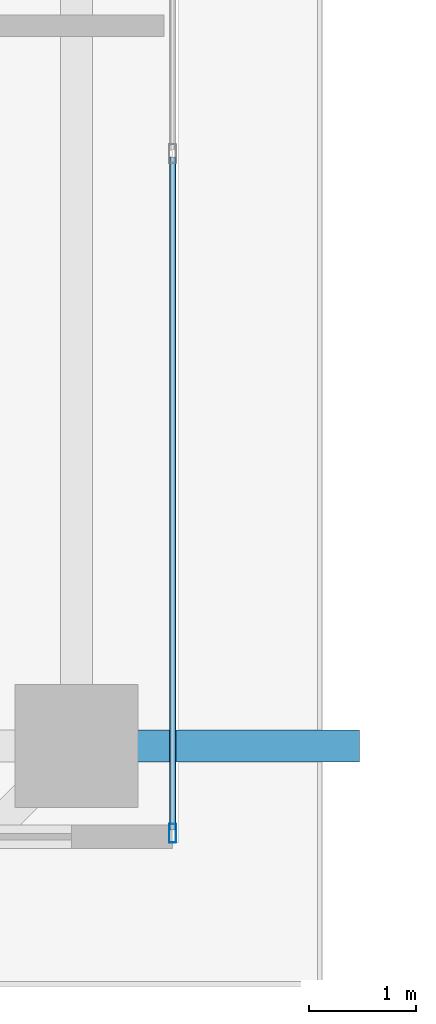
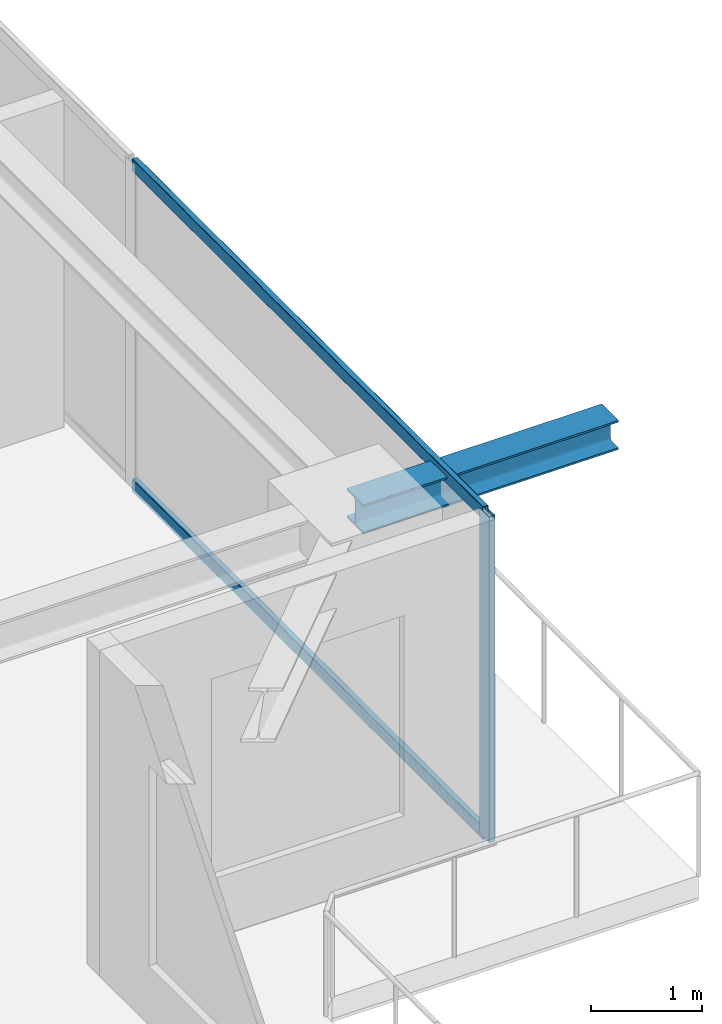
# One storey, part 14 of 36: 3 members, 1 beam, 1 element without a shape of its own.
"""IFC4 building model written with IfcOpenShell, lengths in metres."""

from ifc_helpers import new_model, si_unit, direction, frame, origin, origin_2d, place, context, subcontext, project, spatial, hollow_rectangle, i_section, extrude, source, transform, mapped, material, layer, layer_set, material_profile, profile_set, type_object, element, aggregate, save


model = new_model("IFC4")

# Units and contexts
model_context = context("Model", 3, precision=1e-05, world=origin(), true_north=direction((0.0, 1.0)))
body_context = subcontext(model_context, "Body", "Model", "MODEL_VIEW")
ifc_project = project(units=[si_unit("LENGTHUNIT", "METRE"), si_unit("AREAUNIT", "SQUARE_METRE"), si_unit("VOLUMEUNIT", "CUBIC_METRE"), si_unit("PLANEANGLEUNIT", "RADIAN"), si_unit("MASSUNIT", "GRAM", prefix="KILO")], contexts=[model_context])

# Site, building, storey
site_placement = place(None, origin())
site = spatial("IfcSite", under=ifc_project, at=site_placement, CompositionType="ELEMENT")
building_placement = place(site_placement, origin())
building = spatial("IfcBuilding", under=site, at=building_placement, Name="Serunith Strait Residences", CompositionType="ELEMENT")
storey_placement = place(building_placement, frame((0.0, 0.0, 272.050048828125)))
storey = spatial("IfcBuildingStorey", under=building, at=storey_placement, Name="L68", CompositionType="ELEMENT", Elevation=272.050048828125)

# Beam
ifc_material_1 = material(Name="Steel S355J2", Category="steel")
ifc_material_profile_1 = material_profile(ifc_material_1, i_section(OverallWidth=0.300048828125, OverallDepth=0.320068359375, WebThickness=0.011474609375, FlangeThickness=0.0205078125, FilletRadius=0.027099609375, at=origin_2d()), Name="HEB 320")
ifc_profile_set_1 = profile_set([ifc_material_profile_1], Name="Steel S355J2")
beam_type = type_object("IfcBeamType", Name="BM-HEB320", PredefinedType="BEAM", material=ifc_profile_set_1)
shared_shape_1 = source(origin(), body_context, "Body", "SweptSolid", [
    extrude(i_section(OverallWidth=0.300048828125, OverallDepth=0.320068359375, WebThickness=0.011474609375, FlangeThickness=0.0205078125, FilletRadius=0.027099609375, at=origin_2d()), origin(), (0.0, 0.0, 1.0), 2.64892578125),
])
beam_placement = place(storey_placement, frame((56.5, 10.050048828125, 3.39697265625), z_axis=(1.0, 0.0, 0.0), x_axis=(0.0, 1.0, 0.0)))
element("IfcBeam", 1, at=beam_placement, inside=storey, type_object=beam_type, Name="L69 Cantilevered Balcony Rib TC-E1", PredefinedType="BEAM", context=body_context, shape_type="MappedRepresentation", body=[
    mapped(shared_shape_1, transform((0.0, 0.0, 0.0), scale=1.0)),
])

# Curtain wall, members
ifc_material_2 = material(Name="Pale-Champagne Anodised Aluminium", Category="aluminium")
ifc_layer = layer(ifc_material_2, 0.199951171875, Name="Pale-Champagne Anodised Aluminium")
ifc_layer_set = layer_set([ifc_layer], Name="Pale-Champagne Anodised Aluminium")
curtain_wall_type = type_object("IfcCurtainWallType", Name="CW-SYS4", PredefinedType="NOTDEFINED", material=ifc_layer_set)
curtain_wall_placement = place(storey_placement, origin())
curtain_wall = element("IfcCurtainWall", 2, at=curtain_wall_placement, inside=storey, type_object=curtain_wall_type, Name="L68 E Unitised Fritted Curtain Wall", PredefinedType="NOTDEFINED")
ifc_material_profile_2 = material_profile(ifc_material_2, hollow_rectangle(XDim=0.06494140625, YDim=0.179931640625, WallThickness=0.00341796875, InnerFilletRadius=0.00537109375, OuterFilletRadius=0.0087890625, at=origin_2d()), Name="ALU 180x65x3.5")
ifc_profile_set_2 = profile_set([ifc_material_profile_2], Name="Pale-Champagne Anodised Aluminium")
member_type_1 = type_object("IfcMemberType", Name="CW-SYS4-MULL", PredefinedType="MULLION", material=ifc_profile_set_2)
shared_shape_2 = source(origin(), body_context, "Body", "SweptSolid", [
    extrude(hollow_rectangle(XDim=0.06494140625, YDim=0.179931640625, WallThickness=0.00341796875, InnerFilletRadius=0.00537109375, OuterFilletRadius=0.0087890625, at=origin_2d()), origin(), (0.0, 0.0, 1.0), 3.574951171875),
])
member_1_placement = place(storey_placement, frame((57.39990234375, 9.232421875, 0.0), z_axis=(0.0, 0.0, 1.0), x_axis=(-1.0, 0.0, 0.0)))
member_1 = element("IfcMember", 3, at=member_1_placement, type_object=member_type_1, Name="CW-4 mullion 1", PredefinedType="MULLION", context=body_context, shape_type="MappedRepresentation", body=[
    mapped(shared_shape_2, transform((0.0, 0.0, 0.0), scale=1.0)),
])
ifc_material_profile_3 = material_profile(ifc_material_2, hollow_rectangle(XDim=0.06005859375, YDim=0.139892578125, WallThickness=0.00341796875, InnerFilletRadius=0.00537109375, OuterFilletRadius=0.0087890625, at=origin_2d()), Name="ALU 140x60x3.5")
ifc_profile_set_3 = profile_set([ifc_material_profile_3], Name="Pale-Champagne Anodised Aluminium")
member_type_2 = type_object("IfcMemberType", Name="CW-SYS4-TRAN", PredefinedType="USERDEFINED", material=ifc_profile_set_3)
shared_shape_3 = source(origin(), body_context, "Body", "SweptSolid", [
    extrude(hollow_rectangle(XDim=0.06005859375, YDim=0.139892578125, WallThickness=0.00341796875, InnerFilletRadius=0.00537109375, OuterFilletRadius=0.0087890625, at=origin_2d()), origin(), (0.0, 0.0, 1.0), 6.302490234375),
])
member_2_placement = place(storey_placement, frame((57.39990234375, 9.264892578125, 0.030029296875), z_axis=(0.0, 1.0, 0.0), x_axis=(-1.0, 0.0, 0.0)))
member_2 = element("IfcMember", 4, at=member_2_placement, type_object=member_type_2, Name="CW-4 transom 1.1", ObjectType="TRANSOM", PredefinedType="USERDEFINED", context=body_context, shape_type="MappedRepresentation", body=[
    mapped(shared_shape_3, transform((0.0, 0.0, 0.0), scale=1.0)),
])
member_3_placement = place(storey_placement, frame((57.39990234375, 9.264892578125, 3.544921875), z_axis=(0.0, 1.0, 0.0), x_axis=(-1.0, 0.0, 0.0)))
member_3 = element("IfcMember", 5, at=member_3_placement, type_object=member_type_2, Name="CW-4 transom 1.2", ObjectType="TRANSOM", PredefinedType="USERDEFINED", context=body_context, shape_type="MappedRepresentation", body=[
    mapped(shared_shape_3, transform((0.0, 0.0, 0.0), scale=1.0)),
])
aggregate(curtain_wall, [member_1, member_2, member_3])

save(model, "model.ifc")
